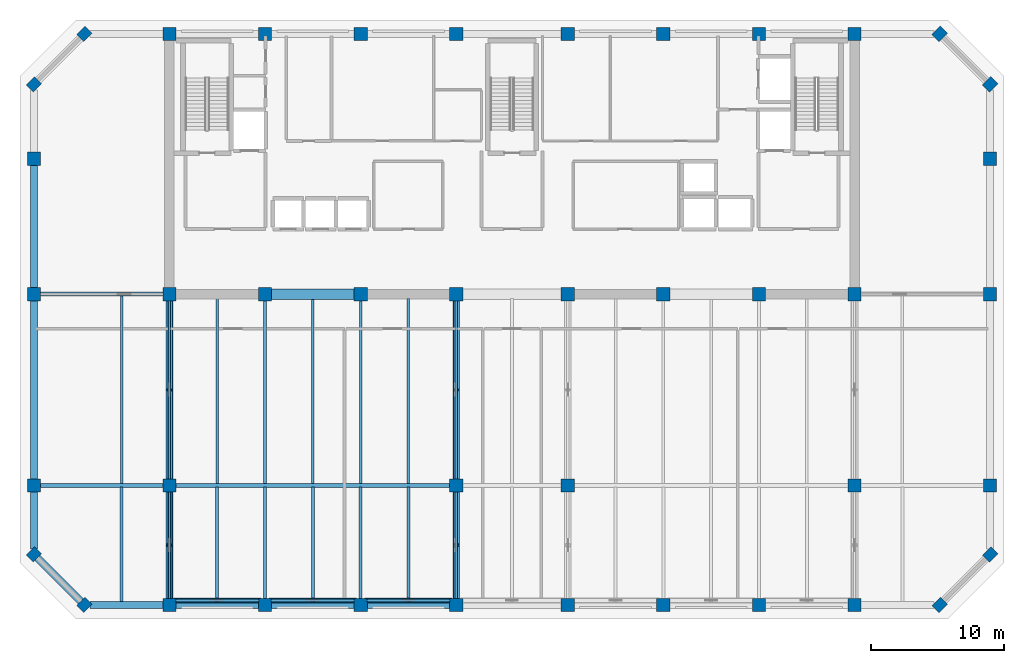
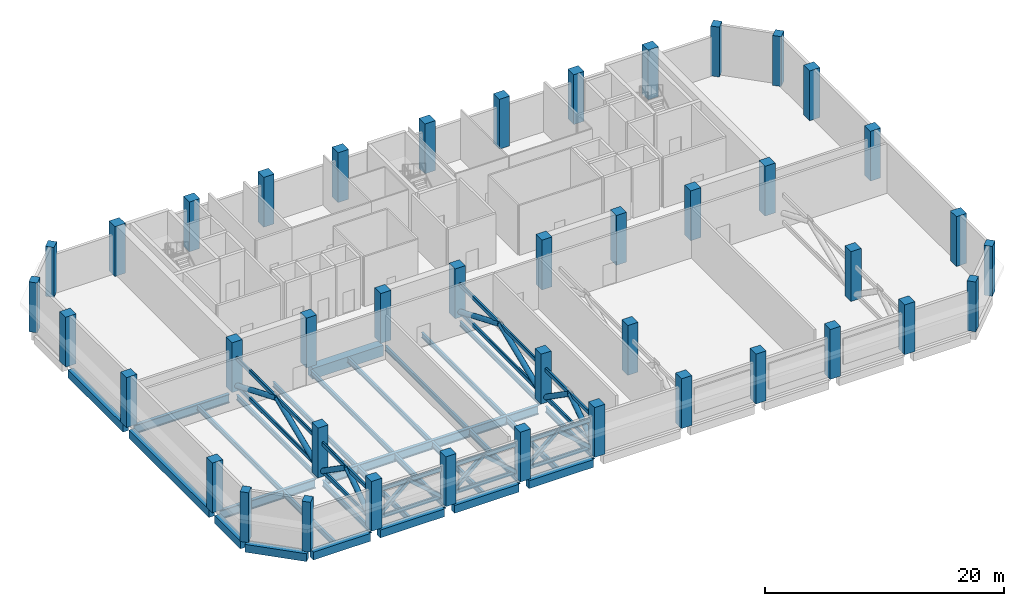
# One storey, part 1 of 11: 42 columns, 28 beams, 28 members.
"""IFC4 building model written with IfcOpenShell, lengths in metres."""

from ifc_helpers import new_model, si_unit, direction, frame, origin, origin_2d, place, context, subcontext, project, spatial, rectangle, hollow_rectangle, hollow_circle, i_section, extrude, material, material_profile, profile_set, type_object, element, save


model = new_model("IFC4")

# Units and contexts
model_context = context("Model", 3, precision=1e-05, world=origin(), true_north=direction((0.0, 1.0)))
body_context = subcontext(model_context, "Body", "Model", "MODEL_VIEW")
ifc_project = project(units=[si_unit("LENGTHUNIT", "METRE"), si_unit("AREAUNIT", "SQUARE_METRE"), si_unit("VOLUMEUNIT", "CUBIC_METRE"), si_unit("PLANEANGLEUNIT", "RADIAN"), si_unit("MASSUNIT", "GRAM", prefix="KILO")], contexts=[model_context])

# Site, building, storey
site_placement = place(None, origin())
site = spatial("IfcSite", under=ifc_project, at=site_placement, CompositionType="ELEMENT")
building_placement = place(site_placement, origin())
building = spatial("IfcBuilding", under=site, at=building_placement, Name="Kaelvorn Grand Hotel", CompositionType="ELEMENT")
storey_placement = place(building_placement, frame((0.0, 0.0, 280.5)))
storey = spatial("IfcBuildingStorey", under=building, at=storey_placement, Name="L69", CompositionType="ELEMENT", Elevation=280.5)

# Columns
ifc_material_1 = material(Name="Concrete C60/75", Category="concrete")
ifc_material_profile_1 = material_profile(ifc_material_1, rectangle(XDim=0.89990234375, YDim=0.75, at=origin_2d()), Name="RC PILASTER 900x750")
ifc_profile_set_1 = profile_set([ifc_material_profile_1], Name="Concrete C60/75")
column_type_1 = type_object("IfcColumnType", Name="COL-PIL-900x750-C60", PredefinedType="PILASTER", material=ifc_profile_set_1)
for number, where, z_axis, x_axis, name in (
    (1, (9.800048828125, 6.0, 0.0), (0.0, 0.0, 1.0), (0.707106781187, 0.707106781187, 0.0), "L69 Structural Column CH-01"),
    (2, (74.199951171875, 6.0, 0.0), (0.0, 0.0, 1.0), (0.707106781187, 0.707106781187, 0.0), "L69 Structural Column CH-02"),
    (3, (78.0, 9.800048828125, 0.0), (0.0, 0.0, 1.0), (0.707106781187, 0.707106781187, 0.0), "L69 Structural Column CH-03"),
    (4, (78.0, 45.199951171875, 0.0), (0.0, 0.0, 1.0), (0.707106781187, 0.707106781187, 0.0), "L69 Structural Column CH-04"),
    (5, (74.199951171875, 49.0, 0.0), (0.0, 0.0, 1.0), (0.707106781187, 0.707106781187, 0.0), "L69 Structural Column CH-05"),
    (6, (9.800048828125, 49.0, 0.0), (0.0, 0.0, 1.0), (0.707106781187, 0.707106781187, 0.0), "L69 Structural Column CH-06"),
    (7, (6.0, 45.199951171875, 0.0), (0.0, 0.0, 1.0), (0.707106781187, 0.707106781187, 0.0), "L69 Structural Column CH-07"),
    (8, (6.0, 9.800048828125, 0.0), (0.0, 0.0, 1.0), (0.707106781187, 0.707106781187, 0.0), "L69 Structural Column CH-08"),
):
    element("IfcColumn", number, at=place(storey_placement, frame(where, z_axis=z_axis, x_axis=x_axis)), inside=storey, type_object=column_type_1, Name=name, PredefinedType="PILASTER", context=body_context, shape_type="SweptSolid", body=[
        extrude(rectangle(XDim=0.89990234375, YDim=0.75, at=origin_2d()), origin(), (0.0, 0.0, 1.0), 5.10009765625),
    ])
ifc_material_2 = material(Name="Concrete C50/60", Category="concrete")
ifc_material_profile_2 = material_profile(ifc_material_2, rectangle(XDim=1.0, YDim=1.0, at=origin_2d()), Name="RC COL 1000x1000")
ifc_profile_set_2 = profile_set([ifc_material_profile_2], Name="Concrete C50/60")
column_type_2 = type_object("IfcColumnType", Name="COL-RC-1000-C50", PredefinedType="COLUMN", material=ifc_profile_set_2)
for number, where, z_axis, x_axis, name in (
    (9, (16.199951171875, 6.0, 0.0), (0.0, 0.0, 1.0), (1.0, 0.0, 0.0), "L69 Structural Column S-01"),
    (10, (23.39990234375, 6.0, 0.0), (0.0, 0.0, 1.0), (1.0, 0.0, 0.0), "L69 Structural Column S-02"),
    (11, (30.60009765625, 6.0, 0.0), (0.0, 0.0, 1.0), (1.0, 0.0, 0.0), "L69 Structural Column S-03"),
    (12, (37.800048828125, 6.0, 0.0), (0.0, 0.0, 1.0), (1.0, 0.0, 0.0), "L69 Structural Column S-04"),
    (13, (46.199951171875, 6.0, 0.0), (0.0, 0.0, 1.0), (1.0, 0.0, 0.0), "L69 Structural Column S-05"),
    (14, (53.39990234375, 6.0, 0.0), (0.0, 0.0, 1.0), (1.0, 0.0, 0.0), "L69 Structural Column S-06"),
    (15, (60.60009765625, 6.0, 0.0), (0.0, 0.0, 1.0), (1.0, 0.0, 0.0), "L69 Structural Column S-07"),
    (16, (67.800048828125, 6.0, 0.0), (0.0, 0.0, 1.0), (1.0, 0.0, 0.0), "L69 Structural Column S-08"),
    (17, (6.0, 15.0, 0.0), (0.0, 0.0, 1.0), (1.0, 0.0, 0.0), "L69 Structural Column W-01"),
    (18, (78.0, 15.0, 0.0), (0.0, 0.0, 1.0), (1.0, 0.0, 0.0), "L69 Structural Column E-01"),
    (19, (6.0, 29.39990234375, 0.0), (0.0, 0.0, 1.0), (1.0, 0.0, 0.0), "L69 Structural Column W-02"),
    (20, (78.0, 29.39990234375, 0.0), (0.0, 0.0, 1.0), (1.0, 0.0, 0.0), "L69 Structural Column E-02"),
    (21, (6.0, 39.60009765625, 0.0), (0.0, 0.0, 1.0), (1.0, 0.0, 0.0), "L69 Structural Column W-03"),
    (22, (78.0, 39.60009765625, 0.0), (0.0, 0.0, 1.0), (1.0, 0.0, 0.0), "L69 Structural Column E-03"),
    (23, (16.199951171875, 15.0, 0.0), (0.0, 0.0, 1.0), (1.0, 0.0, 0.0), "L69 Structural Column M-01"),
    (24, (37.800048828125, 15.0, 0.0), (0.0, 0.0, 1.0), (1.0, 0.0, 0.0), "L69 Structural Column M-02"),
    (25, (46.199951171875, 15.0, 0.0), (0.0, 0.0, 1.0), (1.0, 0.0, 0.0), "L69 Structural Column M-03"),
    (26, (67.800048828125, 15.0, 0.0), (0.0, 0.0, 1.0), (1.0, 0.0, 0.0), "L69 Structural Column M-04"),
    (27, (16.199951171875, 29.39990234375, 0.0), (0.0, 0.0, 1.0), (1.0, 0.0, 0.0), "L69 Structural Column CR1-01"),
    (28, (16.199951171875, 49.0, 0.0), (0.0, 0.0, 1.0), (1.0, 0.0, 0.0), "L69 Structural Column CR2-01"),
    (29, (23.39990234375, 29.39990234375, 0.0), (0.0, 0.0, 1.0), (1.0, 0.0, 0.0), "L69 Structural Column CR1-02"),
    (30, (23.39990234375, 49.0, 0.0), (0.0, 0.0, 1.0), (1.0, 0.0, 0.0), "L69 Structural Column CR2-02"),
    (31, (30.60009765625, 29.39990234375, 0.0), (0.0, 0.0, 1.0), (1.0, 0.0, 0.0), "L69 Structural Column CR1-03"),
    (32, (30.60009765625, 49.0, 0.0), (0.0, 0.0, 1.0), (1.0, 0.0, 0.0), "L69 Structural Column CR2-03"),
    (33, (37.800048828125, 29.39990234375, 0.0), (0.0, 0.0, 1.0), (1.0, 0.0, 0.0), "L69 Structural Column CR1-04"),
    (34, (37.800048828125, 49.0, 0.0), (0.0, 0.0, 1.0), (1.0, 0.0, 0.0), "L69 Structural Column CR2-04"),
    (35, (46.199951171875, 29.39990234375, 0.0), (0.0, 0.0, 1.0), (1.0, 0.0, 0.0), "L69 Structural Column CR1-05"),
    (36, (46.199951171875, 49.0, 0.0), (0.0, 0.0, 1.0), (1.0, 0.0, 0.0), "L69 Structural Column CR2-05"),
    (37, (53.39990234375, 29.39990234375, 0.0), (0.0, 0.0, 1.0), (1.0, 0.0, 0.0), "L69 Structural Column CR1-06"),
    (38, (53.39990234375, 49.0, 0.0), (0.0, 0.0, 1.0), (1.0, 0.0, 0.0), "L69 Structural Column CR2-06"),
    (39, (60.60009765625, 29.39990234375, 0.0), (0.0, 0.0, 1.0), (1.0, 0.0, 0.0), "L69 Structural Column CR1-07"),
    (40, (60.60009765625, 49.0, 0.0), (0.0, 0.0, 1.0), (1.0, 0.0, 0.0), "L69 Structural Column CR2-07"),
    (41, (67.800048828125, 29.39990234375, 0.0), (0.0, 0.0, 1.0), (1.0, 0.0, 0.0), "L69 Structural Column CR1-08"),
    (42, (67.800048828125, 49.0, 0.0), (0.0, 0.0, 1.0), (1.0, 0.0, 0.0), "L69 Structural Column CR2-08"),
):
    element("IfcColumn", number, at=place(storey_placement, frame(where, z_axis=z_axis, x_axis=x_axis)), inside=storey, type_object=column_type_2, Name=name, PredefinedType="COLUMN", context=body_context, shape_type="SweptSolid", body=[
        extrude(rectangle(XDim=1.0, YDim=1.0, at=origin_2d()), origin(), (0.0, 0.0, 1.0), 5.10009765625),
    ])

# Beams
ifc_material_3 = material(Name="Steel S460", Category="steel")
ifc_material_profile_3 = material_profile(ifc_material_3, i_section(OverallWidth=0.302001953125, OverallDepth=0.909912109375, WebThickness=0.02099609375, FlangeThickness=0.0400390625, FilletRadius=0.030029296875, at=origin_2d()), Name="HEM 900")
ifc_profile_set_3 = profile_set([ifc_material_profile_3], Name="Steel S460")
beam_type_1 = type_object("IfcBeamType", Name="BM-G-HEM900-S460", PredefinedType="BEAM", material=ifc_profile_set_3)
beam_1_placement = place(storey_placement, frame((6.485107421875, 15.0, -0.804931640625), z_axis=(1.0, 0.0, 0.0), x_axis=(0.0, 1.0, 0.0)))
element("IfcBeam", 43, at=beam_1_placement, inside=storey, type_object=beam_type_1, Name="L69 Primary Spine Steel Girder G-15 01", PredefinedType="BEAM", context=body_context, shape_type="SweptSolid", body=[
    extrude(i_section(OverallWidth=0.302001953125, OverallDepth=0.909912109375, WebThickness=0.02099609375, FlangeThickness=0.0400390625, FilletRadius=0.030029296875, at=origin_2d()), origin(), (0.0, 0.0, 1.0), 9.22998046875),
])
beam_2_placement = place(storey_placement, frame((16.68505859375, 15.0, -0.804931640625), z_axis=(1.0, 0.0, 0.0), x_axis=(0.0, 1.0, 0.0)))
element("IfcBeam", 44, at=beam_2_placement, inside=storey, type_object=beam_type_1, Name="L69 Primary Spine Steel Girder G-15 02", PredefinedType="BEAM", context=body_context, shape_type="SweptSolid", body=[
    extrude(i_section(OverallWidth=0.302001953125, OverallDepth=0.909912109375, WebThickness=0.02099609375, FlangeThickness=0.0400390625, FilletRadius=0.030029296875, at=origin_2d()), origin(), (0.0, 0.0, 1.0), 20.6298828125),
])
beam_3_placement = place(storey_placement, frame((6.485107421875, 29.39990234375, -0.804931640625), z_axis=(1.0, 0.0, 0.0), x_axis=(0.0, 1.0, 0.0)))
element("IfcBeam", 45, at=beam_3_placement, inside=storey, type_object=beam_type_1, Name="L69 West Core Wing Steel Girder G-29W 01", PredefinedType="BEAM", context=body_context, shape_type="SweptSolid", body=[
    extrude(i_section(OverallWidth=0.302001953125, OverallDepth=0.909912109375, WebThickness=0.02099609375, FlangeThickness=0.0400390625, FilletRadius=0.030029296875, at=origin_2d()), origin(), (0.0, 0.0, 1.0), 9.22998046875),
])
ifc_material_4 = material(Name="Steel S355", Category="steel")
ifc_material_profile_4 = material_profile(ifc_material_4, i_section(OverallWidth=0.199951171875, OverallDepth=0.5, WebThickness=0.01025390625, FlangeThickness=0.01611328125, FilletRadius=0.02099609375, at=origin_2d()), Name="IPE 500")
ifc_profile_set_4 = profile_set([ifc_material_profile_4], Name="Steel S355")
beam_type_2 = type_object("IfcBeamType", Name="BM-J-IPE500-S355", PredefinedType="JOIST", material=ifc_profile_set_4)
beam_4_placement = place(storey_placement, frame((12.60009765625, 15.135986328125, -0.60009765625), z_axis=(0.0, 1.0, 0.0), x_axis=(-1.0, 0.0, 0.0)))
element("IfcBeam", 46, at=beam_4_placement, inside=storey, type_object=beam_type_2, Name="L69 Composite Floor Joist JM-04", PredefinedType="JOIST", context=body_context, shape_type="SweptSolid", body=[
    extrude(i_section(OverallWidth=0.199951171875, OverallDepth=0.5, WebThickness=0.01025390625, FlangeThickness=0.01611328125, FilletRadius=0.02099609375, at=origin_2d()), origin(), (0.0, 0.0, 1.0), 14.1279296875),
])
beam_5_placement = place(storey_placement, frame((16.199951171875, 15.485107421875, -0.60009765625), z_axis=(0.0, 1.0, 0.0), x_axis=(-1.0, 0.0, 0.0)))
element("IfcBeam", 47, at=beam_5_placement, inside=storey, type_object=beam_type_2, Name="L69 Composite Floor Joist JM-05", PredefinedType="JOIST", context=body_context, shape_type="SweptSolid", body=[
    extrude(i_section(OverallWidth=0.199951171875, OverallDepth=0.5, WebThickness=0.01025390625, FlangeThickness=0.01611328125, FilletRadius=0.02099609375, at=origin_2d()), origin(), (0.0, 0.0, 1.0), 13.429931640625),
])
beam_6_placement = place(storey_placement, frame((19.800048828125, 15.135986328125, -0.60009765625), z_axis=(0.0, 1.0, 0.0), x_axis=(-1.0, 0.0, 0.0)))
element("IfcBeam", 48, at=beam_6_placement, inside=storey, type_object=beam_type_2, Name="L69 Composite Floor Joist JM-06", PredefinedType="JOIST", context=body_context, shape_type="SweptSolid", body=[
    extrude(i_section(OverallWidth=0.199951171875, OverallDepth=0.5, WebThickness=0.01025390625, FlangeThickness=0.01611328125, FilletRadius=0.02099609375, at=origin_2d()), origin(), (0.0, 0.0, 1.0), 13.924072265625),
])
beam_7_placement = place(storey_placement, frame((23.39990234375, 15.135986328125, -0.60009765625), z_axis=(0.0, 1.0, 0.0), x_axis=(-1.0, 0.0, 0.0)))
element("IfcBeam", 49, at=beam_7_placement, inside=storey, type_object=beam_type_2, Name="L69 Composite Floor Joist JM-07", PredefinedType="JOIST", context=body_context, shape_type="SweptSolid", body=[
    extrude(i_section(OverallWidth=0.199951171875, OverallDepth=0.5, WebThickness=0.01025390625, FlangeThickness=0.01611328125, FilletRadius=0.02099609375, at=origin_2d()), origin(), (0.0, 0.0, 1.0), 13.779052734375),
])
beam_8_placement = place(storey_placement, frame((27.0, 15.135986328125, -0.60009765625), z_axis=(0.0, 1.0, 0.0), x_axis=(-1.0, 0.0, 0.0)))
element("IfcBeam", 50, at=beam_8_placement, inside=storey, type_object=beam_type_2, Name="L69 Composite Floor Joist JM-08", PredefinedType="JOIST", context=body_context, shape_type="SweptSolid", body=[
    extrude(i_section(OverallWidth=0.199951171875, OverallDepth=0.5, WebThickness=0.01025390625, FlangeThickness=0.01611328125, FilletRadius=0.02099609375, at=origin_2d()), origin(), (0.0, 0.0, 1.0), 13.924072265625),
])
beam_9_placement = place(storey_placement, frame((30.60009765625, 15.135986328125, -0.60009765625), z_axis=(0.0, 1.0, 0.0), x_axis=(-1.0, 0.0, 0.0)))
element("IfcBeam", 51, at=beam_9_placement, inside=storey, type_object=beam_type_2, Name="L69 Composite Floor Joist JM-09", PredefinedType="JOIST", context=body_context, shape_type="SweptSolid", body=[
    extrude(i_section(OverallWidth=0.199951171875, OverallDepth=0.5, WebThickness=0.01025390625, FlangeThickness=0.01611328125, FilletRadius=0.02099609375, at=origin_2d()), origin(), (0.0, 0.0, 1.0), 13.779052734375),
])
beam_10_placement = place(storey_placement, frame((34.199951171875, 15.135986328125, -0.60009765625), z_axis=(0.0, 1.0, 0.0), x_axis=(-1.0, 0.0, 0.0)))
element("IfcBeam", 52, at=beam_10_placement, inside=storey, type_object=beam_type_2, Name="L69 Composite Floor Joist JM-10", PredefinedType="JOIST", context=body_context, shape_type="SweptSolid", body=[
    extrude(i_section(OverallWidth=0.199951171875, OverallDepth=0.5, WebThickness=0.01025390625, FlangeThickness=0.01611328125, FilletRadius=0.02099609375, at=origin_2d()), origin(), (0.0, 0.0, 1.0), 13.924072265625),
])
beam_11_placement = place(storey_placement, frame((37.800048828125, 15.485107421875, -0.60009765625), z_axis=(0.0, 1.0, 0.0), x_axis=(-1.0, 0.0, 0.0)))
element("IfcBeam", 53, at=beam_11_placement, inside=storey, type_object=beam_type_2, Name="L69 Composite Floor Joist JM-11", PredefinedType="JOIST", context=body_context, shape_type="SweptSolid", body=[
    extrude(i_section(OverallWidth=0.199951171875, OverallDepth=0.5, WebThickness=0.01025390625, FlangeThickness=0.01611328125, FilletRadius=0.02099609375, at=origin_2d()), origin(), (0.0, 0.0, 1.0), 13.429931640625),
])
ifc_material_profile_5 = material_profile(ifc_material_4, i_section(OverallWidth=0.219970703125, OverallDepth=0.60009765625, WebThickness=0.011962890625, FlangeThickness=0.01904296875, FilletRadius=0.02392578125, at=origin_2d()), Name="IPE 600")
ifc_profile_set_5 = profile_set([ifc_material_profile_5], Name="Steel S355")
beam_type_3 = type_object("IfcBeamType", Name="BM-J-IPE600-S355", PredefinedType="JOIST", material=ifc_profile_set_5)
beam_12_placement = place(storey_placement, frame((12.60009765625, 6.260009765625, -0.64990234375), z_axis=(0.0, 1.0, 0.0), x_axis=(-1.0, 0.0, 0.0)))
element("IfcBeam", 54, at=beam_12_placement, inside=storey, type_object=beam_type_3, Name="L69 Composite Floor Joist JS-04", PredefinedType="JOIST", context=body_context, shape_type="SweptSolid", body=[
    extrude(i_section(OverallWidth=0.219970703125, OverallDepth=0.60009765625, WebThickness=0.011962890625, FlangeThickness=0.01904296875, FilletRadius=0.02392578125, at=origin_2d()), origin(), (0.0, 0.0, 1.0), 8.60400390625),
])
beam_13_placement = place(storey_placement, frame((16.199951171875, 6.485107421875, -0.64990234375), z_axis=(0.0, 1.0, 0.0), x_axis=(-1.0, 0.0, 0.0)))
element("IfcBeam", 55, at=beam_13_placement, inside=storey, type_object=beam_type_3, Name="L69 Composite Floor Joist JS-05", PredefinedType="JOIST", context=body_context, shape_type="SweptSolid", body=[
    extrude(i_section(OverallWidth=0.219970703125, OverallDepth=0.60009765625, WebThickness=0.011962890625, FlangeThickness=0.01904296875, FilletRadius=0.02392578125, at=origin_2d()), origin(), (0.0, 0.0, 1.0), 8.02978515625),
])
beam_14_placement = place(storey_placement, frame((19.800048828125, 6.260009765625, -0.64990234375), z_axis=(0.0, 1.0, 0.0), x_axis=(-1.0, 0.0, 0.0)))
element("IfcBeam", 56, at=beam_14_placement, inside=storey, type_object=beam_type_3, Name="L69 Composite Floor Joist JS-06", PredefinedType="JOIST", context=body_context, shape_type="SweptSolid", body=[
    extrude(i_section(OverallWidth=0.219970703125, OverallDepth=0.60009765625, WebThickness=0.011962890625, FlangeThickness=0.01904296875, FilletRadius=0.02392578125, at=origin_2d()), origin(), (0.0, 0.0, 1.0), 8.60400390625),
])
beam_15_placement = place(storey_placement, frame((23.39990234375, 6.485107421875, -0.64990234375), z_axis=(0.0, 1.0, 0.0), x_axis=(-1.0, 0.0, 0.0)))
element("IfcBeam", 57, at=beam_15_placement, inside=storey, type_object=beam_type_3, Name="L69 Composite Floor Joist JS-07", PredefinedType="JOIST", context=body_context, shape_type="SweptSolid", body=[
    extrude(i_section(OverallWidth=0.219970703125, OverallDepth=0.60009765625, WebThickness=0.011962890625, FlangeThickness=0.01904296875, FilletRadius=0.02392578125, at=origin_2d()), origin(), (0.0, 0.0, 1.0), 8.37890625),
])
beam_16_placement = place(storey_placement, frame((27.0, 6.260009765625, -0.64990234375), z_axis=(0.0, 1.0, 0.0), x_axis=(-1.0, 0.0, 0.0)))
element("IfcBeam", 58, at=beam_16_placement, inside=storey, type_object=beam_type_3, Name="L69 Composite Floor Joist JS-08", PredefinedType="JOIST", context=body_context, shape_type="SweptSolid", body=[
    extrude(i_section(OverallWidth=0.219970703125, OverallDepth=0.60009765625, WebThickness=0.011962890625, FlangeThickness=0.01904296875, FilletRadius=0.02392578125, at=origin_2d()), origin(), (0.0, 0.0, 1.0), 8.60400390625),
])
beam_17_placement = place(storey_placement, frame((30.60009765625, 6.485107421875, -0.64990234375), z_axis=(0.0, 1.0, 0.0), x_axis=(-1.0, 0.0, 0.0)))
element("IfcBeam", 59, at=beam_17_placement, inside=storey, type_object=beam_type_3, Name="L69 Composite Floor Joist JS-09", PredefinedType="JOIST", context=body_context, shape_type="SweptSolid", body=[
    extrude(i_section(OverallWidth=0.219970703125, OverallDepth=0.60009765625, WebThickness=0.011962890625, FlangeThickness=0.01904296875, FilletRadius=0.02392578125, at=origin_2d()), origin(), (0.0, 0.0, 1.0), 8.37890625),
])
beam_18_placement = place(storey_placement, frame((34.199951171875, 6.260009765625, -0.64990234375), z_axis=(0.0, 1.0, 0.0), x_axis=(-1.0, 0.0, 0.0)))
element("IfcBeam", 60, at=beam_18_placement, inside=storey, type_object=beam_type_3, Name="L69 Composite Floor Joist JS-10", PredefinedType="JOIST", context=body_context, shape_type="SweptSolid", body=[
    extrude(i_section(OverallWidth=0.219970703125, OverallDepth=0.60009765625, WebThickness=0.011962890625, FlangeThickness=0.01904296875, FilletRadius=0.02392578125, at=origin_2d()), origin(), (0.0, 0.0, 1.0), 8.60400390625),
])
beam_19_placement = place(storey_placement, frame((37.800048828125, 6.485107421875, -0.64990234375), z_axis=(0.0, 1.0, 0.0), x_axis=(-1.0, 0.0, 0.0)))
element("IfcBeam", 61, at=beam_19_placement, inside=storey, type_object=beam_type_3, Name="L69 Composite Floor Joist JS-11", PredefinedType="JOIST", context=body_context, shape_type="SweptSolid", body=[
    extrude(i_section(OverallWidth=0.219970703125, OverallDepth=0.60009765625, WebThickness=0.011962890625, FlangeThickness=0.01904296875, FilletRadius=0.02392578125, at=origin_2d()), origin(), (0.0, 0.0, 1.0), 8.02978515625),
])
ifc_material_profile_6 = material_profile(ifc_material_1, rectangle(XDim=0.800048828125, YDim=1.10009765625, at=origin_2d()), Name="RC LINTEL 800x1100")
ifc_profile_set_6 = profile_set([ifc_material_profile_6], Name="Concrete C60/75")
beam_type_4 = type_object("IfcBeamType", Name="BM-LIN-800x1100-C60", PredefinedType="LINTEL", material=ifc_profile_set_6)
beam_20_placement = place(storey_placement, frame((23.580078125, 29.39990234375, -0.89990234375), z_axis=(1.0, 0.0, 0.0), x_axis=(0.0, 1.0, 0.0)))
element("IfcBeam", 62, at=beam_20_placement, inside=storey, type_object=beam_type_4, Name="L69 Rear-Core Coupling Lintel Beam CB1-01", PredefinedType="LINTEL", context=body_context, shape_type="SweptSolid", body=[
    extrude(rectangle(XDim=0.800048828125, YDim=1.10009765625, at=origin_2d()), origin(), (0.0, 0.0, 1.0), 6.83984375),
])
ifc_material_profile_7 = material_profile(ifc_material_2, rectangle(XDim=0.550048828125, YDim=0.800048828125, at=origin_2d()), Name="RC SPANDREL 550x800")
ifc_profile_set_7 = profile_set([ifc_material_profile_7], Name="Concrete C50/60")
beam_type_5 = type_object("IfcBeamType", Name="BM-SP-550x800-C50", PredefinedType="SPANDREL", material=ifc_profile_set_7)
beam_21_placement = place(storey_placement, frame((10.205078125, 6.0, -0.75), z_axis=(1.0, 0.0, 0.0), x_axis=(0.0, 1.0, 0.0)))
element("IfcBeam", 63, at=beam_21_placement, inside=storey, type_object=beam_type_5, Name="L69 South Perimeter Spandrel 01", PredefinedType="SPANDREL", context=body_context, shape_type="SweptSolid", body=[
    extrude(rectangle(XDim=0.550048828125, YDim=0.800048828125, at=origin_2d()), origin(), (0.0, 0.0, 1.0), 5.510009765625),
])
for number, where, z_axis, x_axis, name in (
    (64, (16.68505859375, 6.0, -0.75), (1.0, 0.0, 0.0), (0.0, 1.0, 0.0), "L69 South Perimeter Spandrel 02"),
    (65, (23.885009765625, 6.0, -0.75), (1.0, 0.0, 0.0), (0.0, 1.0, 0.0), "L69 South Perimeter Spandrel 03"),
    (66, (31.0849609375, 6.0, -0.75), (1.0, 0.0, 0.0), (0.0, 1.0, 0.0), "L69 South Perimeter Spandrel 04"),
):
    element("IfcBeam", number, at=place(storey_placement, frame(where, z_axis=z_axis, x_axis=x_axis)), inside=storey, type_object=beam_type_5, Name=name, PredefinedType="SPANDREL", context=body_context, shape_type="SweptSolid", body=[
        extrude(rectangle(XDim=0.550048828125, YDim=0.800048828125, at=origin_2d()), origin(), (0.0, 0.0, 1.0), 6.22998046875),
    ])
beam_22_placement = place(storey_placement, frame((6.0, 10.205078125, -0.75), z_axis=(0.0, 1.0, 0.0), x_axis=(-1.0, 0.0, 0.0)))
element("IfcBeam", 67, at=beam_22_placement, inside=storey, type_object=beam_type_5, Name="L69 West Perimeter Spandrel 01", PredefinedType="SPANDREL", context=body_context, shape_type="SweptSolid", body=[
    extrude(rectangle(XDim=0.550048828125, YDim=0.800048828125, at=origin_2d()), origin(), (0.0, 0.0, 1.0), 4.309814453125),
])
beam_23_placement = place(storey_placement, frame((6.0, 15.485107421875, -0.75), z_axis=(0.0, 1.0, 0.0), x_axis=(-1.0, 0.0, 0.0)))
element("IfcBeam", 68, at=beam_23_placement, inside=storey, type_object=beam_type_5, Name="L69 West Perimeter Spandrel 02", PredefinedType="SPANDREL", context=body_context, shape_type="SweptSolid", body=[
    extrude(rectangle(XDim=0.550048828125, YDim=0.800048828125, at=origin_2d()), origin(), (0.0, 0.0, 1.0), 13.429931640625),
])
beam_24_placement = place(storey_placement, frame((6.0, 29.885009765625, -0.75), z_axis=(0.0, 1.0, 0.0), x_axis=(-1.0, 0.0, 0.0)))
element("IfcBeam", 69, at=beam_24_placement, inside=storey, type_object=beam_type_5, Name="L69 West Perimeter Spandrel 03", PredefinedType="SPANDREL", context=body_context, shape_type="SweptSolid", body=[
    extrude(rectangle(XDim=0.550048828125, YDim=0.800048828125, at=origin_2d()), origin(), (0.0, 0.0, 1.0), 9.22998046875),
])
beam_25_placement = place(storey_placement, frame((6.0, 9.800048828125, -0.75), z_axis=(0.707106781187, -0.707106781187, 0.0), x_axis=(0.707106781187, 0.707106781187, 0.0)))
element("IfcBeam", 70, at=beam_25_placement, inside=storey, type_object=beam_type_5, Name="L69 Chamfer Spandrel Beam 4", PredefinedType="SPANDREL", context=body_context, shape_type="SweptSolid", body=[
    extrude(rectangle(XDim=0.550048828125, YDim=0.800048828125, at=origin_2d()), origin(), (0.0, 0.0, 1.0), 5.3740234375),
])

# Members
ifc_material_profile_8 = material_profile(ifc_material_3, hollow_rectangle(XDim=0.35009765625, YDim=0.35009765625, WallThickness=0.01611328125, InnerFilletRadius=0.01611328125, OuterFilletRadius=0.031982421875, at=origin_2d()), Name="SHS 350x350x16.0")
ifc_profile_set_8 = profile_set([ifc_material_profile_8], Name="Steel S460")
member_type_1 = type_object("IfcMemberType", Name="MB-BT-BRACE-SHS350", PredefinedType="BRACE", material=ifc_profile_set_8)
for number, where, z_axis, x_axis, name in (
    (71, (16.614990234375, 6.340087890625, 0.550048828125), (0.751041187139, 0.0, 0.660255356071), (0.0, 1.0, 0.0), "L69 Belt Truss Brace L1"),
    (72, (19.800048828125, 6.340087890625, 3.35009765625), (0.751041187139, 0.0, -0.660255356071), (0.0, 1.0, 0.0), "L69 Belt Truss Brace R1"),
    (73, (23.81494140625, 6.340087890625, 0.550048828125), (0.751041187139, 0.0, 0.660255356071), (0.0, 1.0, 0.0), "L69 Belt Truss Brace L2"),
    (74, (27.0, 6.340087890625, 3.35009765625), (0.751041187139, 0.0, -0.660255356071), (0.0, 1.0, 0.0), "L69 Belt Truss Brace R2"),
    (75, (31.014892578125, 6.340087890625, 0.550048828125), (0.751041187139, 0.0, 0.660255356071), (0.0, 1.0, 0.0), "L69 Belt Truss Brace L3"),
    (76, (34.199951171875, 6.340087890625, 3.35009765625), (0.751041187139, 0.0, -0.660255356071), (0.0, 1.0, 0.0), "L69 Belt Truss Brace R3"),
):
    element("IfcMember", number, at=place(storey_placement, frame(where, z_axis=z_axis, x_axis=x_axis)), inside=storey, type_object=member_type_1, Name=name, PredefinedType="BRACE", context=body_context, shape_type="SweptSolid", body=[
        extrude(hollow_rectangle(XDim=0.35009765625, YDim=0.35009765625, WallThickness=0.01611328125, InnerFilletRadius=0.01611328125, OuterFilletRadius=0.031982421875, at=origin_2d()), origin(), (0.0, 0.0, 1.0), 4.240966796875),
    ])
ifc_material_profile_9 = material_profile(ifc_material_3, hollow_circle(Radius=0.25390625, WallThickness=0.02490234375, at=origin_2d()), Name="CHS 508.0x25.0")
ifc_profile_set_9 = profile_set([ifc_material_profile_9], Name="Steel S460")
member_type_2 = type_object("IfcMemberType", Name="MB-OR-BRACE-CHS508", PredefinedType="BRACE", material=ifc_profile_set_9)
for number, where, z_axis, x_axis, name in (
    (77, (16.199951171875, 6.485107421875, 0.550048828125), (0.0, 0.820226550638, 0.572038814792), (-1.0, 0.0, 0.0), "L69 Outrigger Brace Diagonal A1.1"),
    (78, (16.199951171875, 10.5, 3.35009765625), (0.0, 0.820226550638, -0.572038814792), (-1.0, 0.0, 0.0), "L69 Outrigger Brace Diagonal B1.1"),
):
    element("IfcMember", number, at=place(storey_placement, frame(where, z_axis=z_axis, x_axis=x_axis)), inside=storey, type_object=member_type_2, Name=name, PredefinedType="BRACE", context=body_context, shape_type="SweptSolid", body=[
        extrude(hollow_circle(Radius=0.25390625, WallThickness=0.02490234375, at=origin_2d()), origin(), (0.0, 0.0, 1.0), 4.894775390625),
    ])
member_1_placement = place(storey_placement, frame((16.199951171875, 15.485107421875, 0.550048828125), z_axis=(0.0, 0.922969661572, 0.38487271119), x_axis=(-1.0, 0.0, 0.0)))
element("IfcMember", 79, at=member_1_placement, inside=storey, type_object=member_type_2, Name="L69 Outrigger Brace Diagonal A1.2", PredefinedType="BRACE", context=body_context, shape_type="SweptSolid", body=[
    extrude(hollow_circle(Radius=0.25390625, WallThickness=0.02490234375, at=origin_2d()), origin(), (0.0, 0.0, 1.0), 7.275146484375),
])
member_2_placement = place(storey_placement, frame((16.199951171875, 22.199951171875, 3.35009765625), z_axis=(0.0, 0.922974632135, -0.384860790982), x_axis=(-1.0, 0.0, 0.0)))
element("IfcMember", 80, at=member_2_placement, inside=storey, type_object=member_type_2, Name="L69 Outrigger Brace Diagonal B1.2", PredefinedType="BRACE", context=body_context, shape_type="SweptSolid", body=[
    extrude(hollow_circle(Radius=0.25390625, WallThickness=0.02490234375, at=origin_2d()), origin(), (0.0, 0.0, 1.0), 7.275390625),
])
for number, where, z_axis, x_axis, name in (
    (81, (37.800048828125, 6.485107421875, 0.550048828125), (0.0, 0.820226550638, 0.572038814792), (-1.0, 0.0, 0.0), "L69 Outrigger Brace Diagonal A2.1"),
    (82, (37.800048828125, 10.5, 3.35009765625), (0.0, 0.820226550638, -0.572038814792), (-1.0, 0.0, 0.0), "L69 Outrigger Brace Diagonal B2.1"),
):
    element("IfcMember", number, at=place(storey_placement, frame(where, z_axis=z_axis, x_axis=x_axis)), inside=storey, type_object=member_type_2, Name=name, PredefinedType="BRACE", context=body_context, shape_type="SweptSolid", body=[
        extrude(hollow_circle(Radius=0.25390625, WallThickness=0.02490234375, at=origin_2d()), origin(), (0.0, 0.0, 1.0), 4.894775390625),
    ])
member_3_placement = place(storey_placement, frame((37.800048828125, 15.485107421875, 0.550048828125), z_axis=(0.0, 0.922969661572, 0.38487271119), x_axis=(-1.0, 0.0, 0.0)))
element("IfcMember", 83, at=member_3_placement, inside=storey, type_object=member_type_2, Name="L69 Outrigger Brace Diagonal A2.2", PredefinedType="BRACE", context=body_context, shape_type="SweptSolid", body=[
    extrude(hollow_circle(Radius=0.25390625, WallThickness=0.02490234375, at=origin_2d()), origin(), (0.0, 0.0, 1.0), 7.275146484375),
])
member_4_placement = place(storey_placement, frame((37.800048828125, 22.199951171875, 3.35009765625), z_axis=(0.0, 0.922974632135, -0.384860790982), x_axis=(-1.0, 0.0, 0.0)))
element("IfcMember", 84, at=member_4_placement, inside=storey, type_object=member_type_2, Name="L69 Outrigger Brace Diagonal B2.2", PredefinedType="BRACE", context=body_context, shape_type="SweptSolid", body=[
    extrude(hollow_circle(Radius=0.25390625, WallThickness=0.02490234375, at=origin_2d()), origin(), (0.0, 0.0, 1.0), 7.275390625),
])
ifc_material_profile_10 = material_profile(ifc_material_3, hollow_rectangle(XDim=0.199951171875, YDim=0.39990234375, WallThickness=0.01611328125, InnerFilletRadius=0.01611328125, OuterFilletRadius=0.031982421875, at=origin_2d()), Name="RHS 400x200x16.0")
ifc_profile_set_10 = profile_set([ifc_material_profile_10], Name="Steel S460")
member_type_3 = type_object("IfcMemberType", Name="MB-OR-CHORD-RHS400", PredefinedType="CHORD", material=ifc_profile_set_10)
for number, where, z_axis, x_axis, name in (
    (85, (16.199951171875, 6.485107421875, 0.550048828125), (0.0, 1.0, 0.0), (-1.0, 0.0, 0.0), "L69 Outrigger Bottom Chord OC-1.1"),
    (86, (16.199951171875, 6.485107421875, 3.35009765625), (0.0, 1.0, 0.0), (-1.0, 0.0, 0.0), "L69 Outrigger Top Chord OC-1.1"),
):
    element("IfcMember", number, at=place(storey_placement, frame(where, z_axis=z_axis, x_axis=x_axis)), inside=storey, type_object=member_type_3, Name=name, PredefinedType="CHORD", context=body_context, shape_type="SweptSolid", body=[
        extrude(hollow_rectangle(XDim=0.199951171875, YDim=0.39990234375, WallThickness=0.01611328125, InnerFilletRadius=0.01611328125, OuterFilletRadius=0.031982421875, at=origin_2d()), origin(), (0.0, 0.0, 1.0), 8.02978515625),
    ])
for number, where, z_axis, x_axis, name in (
    (87, (16.199951171875, 15.485107421875, 0.550048828125), (0.0, 1.0, 0.0), (-1.0, 0.0, 0.0), "L69 Outrigger Bottom Chord OC-1.2"),
    (88, (16.199951171875, 15.485107421875, 3.35009765625), (0.0, 1.0, 0.0), (-1.0, 0.0, 0.0), "L69 Outrigger Top Chord OC-1.2"),
):
    element("IfcMember", number, at=place(storey_placement, frame(where, z_axis=z_axis, x_axis=x_axis)), inside=storey, type_object=member_type_3, Name=name, PredefinedType="CHORD", context=body_context, shape_type="SweptSolid", body=[
        extrude(hollow_rectangle(XDim=0.199951171875, YDim=0.39990234375, WallThickness=0.01611328125, InnerFilletRadius=0.01611328125, OuterFilletRadius=0.031982421875, at=origin_2d()), origin(), (0.0, 0.0, 1.0), 13.429931640625),
    ])
for number, where, z_axis, x_axis, name in (
    (89, (37.800048828125, 6.485107421875, 0.550048828125), (0.0, 1.0, 0.0), (-1.0, 0.0, 0.0), "L69 Outrigger Bottom Chord OC-2.1"),
    (90, (37.800048828125, 6.485107421875, 3.35009765625), (0.0, 1.0, 0.0), (-1.0, 0.0, 0.0), "L69 Outrigger Top Chord OC-2.1"),
):
    element("IfcMember", number, at=place(storey_placement, frame(where, z_axis=z_axis, x_axis=x_axis)), inside=storey, type_object=member_type_3, Name=name, PredefinedType="CHORD", context=body_context, shape_type="SweptSolid", body=[
        extrude(hollow_rectangle(XDim=0.199951171875, YDim=0.39990234375, WallThickness=0.01611328125, InnerFilletRadius=0.01611328125, OuterFilletRadius=0.031982421875, at=origin_2d()), origin(), (0.0, 0.0, 1.0), 8.02978515625),
    ])
for number, where, z_axis, x_axis, name in (
    (91, (37.800048828125, 15.485107421875, 0.550048828125), (0.0, 1.0, 0.0), (-1.0, 0.0, 0.0), "L69 Outrigger Bottom Chord OC-2.2"),
    (92, (37.800048828125, 15.485107421875, 3.35009765625), (0.0, 1.0, 0.0), (-1.0, 0.0, 0.0), "L69 Outrigger Top Chord OC-2.2"),
):
    element("IfcMember", number, at=place(storey_placement, frame(where, z_axis=z_axis, x_axis=x_axis)), inside=storey, type_object=member_type_3, Name=name, PredefinedType="CHORD", context=body_context, shape_type="SweptSolid", body=[
        extrude(hollow_rectangle(XDim=0.199951171875, YDim=0.39990234375, WallThickness=0.01611328125, InnerFilletRadius=0.01611328125, OuterFilletRadius=0.031982421875, at=origin_2d()), origin(), (0.0, 0.0, 1.0), 13.429931640625),
    ])
for number, where, z_axis, x_axis, name in (
    (93, (16.614990234375, 6.340087890625, 0.550048828125), (1.0, 0.0, 0.0), (0.0, 1.0, 0.0), "L69 Belt Truss Bottom Chord 1"),
    (94, (16.614990234375, 6.340087890625, 3.35009765625), (1.0, 0.0, 0.0), (0.0, 1.0, 0.0), "L69 Belt Truss Top Chord 1"),
    (95, (23.81494140625, 6.340087890625, 0.550048828125), (1.0, 0.0, 0.0), (0.0, 1.0, 0.0), "L69 Belt Truss Bottom Chord 2"),
    (96, (23.81494140625, 6.340087890625, 3.35009765625), (1.0, 0.0, 0.0), (0.0, 1.0, 0.0), "L69 Belt Truss Top Chord 2"),
    (97, (31.014892578125, 6.340087890625, 0.550048828125), (1.0, 0.0, 0.0), (0.0, 1.0, 0.0), "L69 Belt Truss Bottom Chord 3"),
    (98, (31.014892578125, 6.340087890625, 3.35009765625), (1.0, 0.0, 0.0), (0.0, 1.0, 0.0), "L69 Belt Truss Top Chord 3"),
):
    element("IfcMember", number, at=place(storey_placement, frame(where, z_axis=z_axis, x_axis=x_axis)), inside=storey, type_object=member_type_3, Name=name, PredefinedType="CHORD", context=body_context, shape_type="SweptSolid", body=[
        extrude(hollow_rectangle(XDim=0.199951171875, YDim=0.39990234375, WallThickness=0.01611328125, InnerFilletRadius=0.01611328125, OuterFilletRadius=0.031982421875, at=origin_2d()), origin(), (0.0, 0.0, 1.0), 6.3701171875),
    ])

save(model, "model.ifc")
